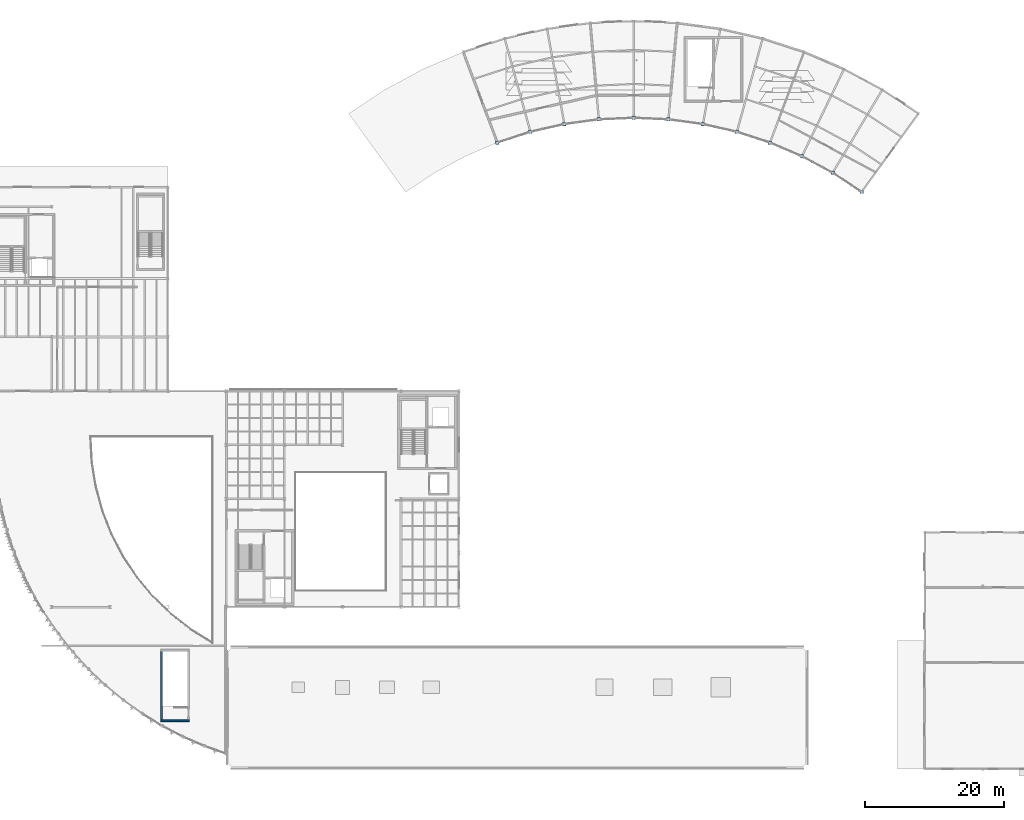
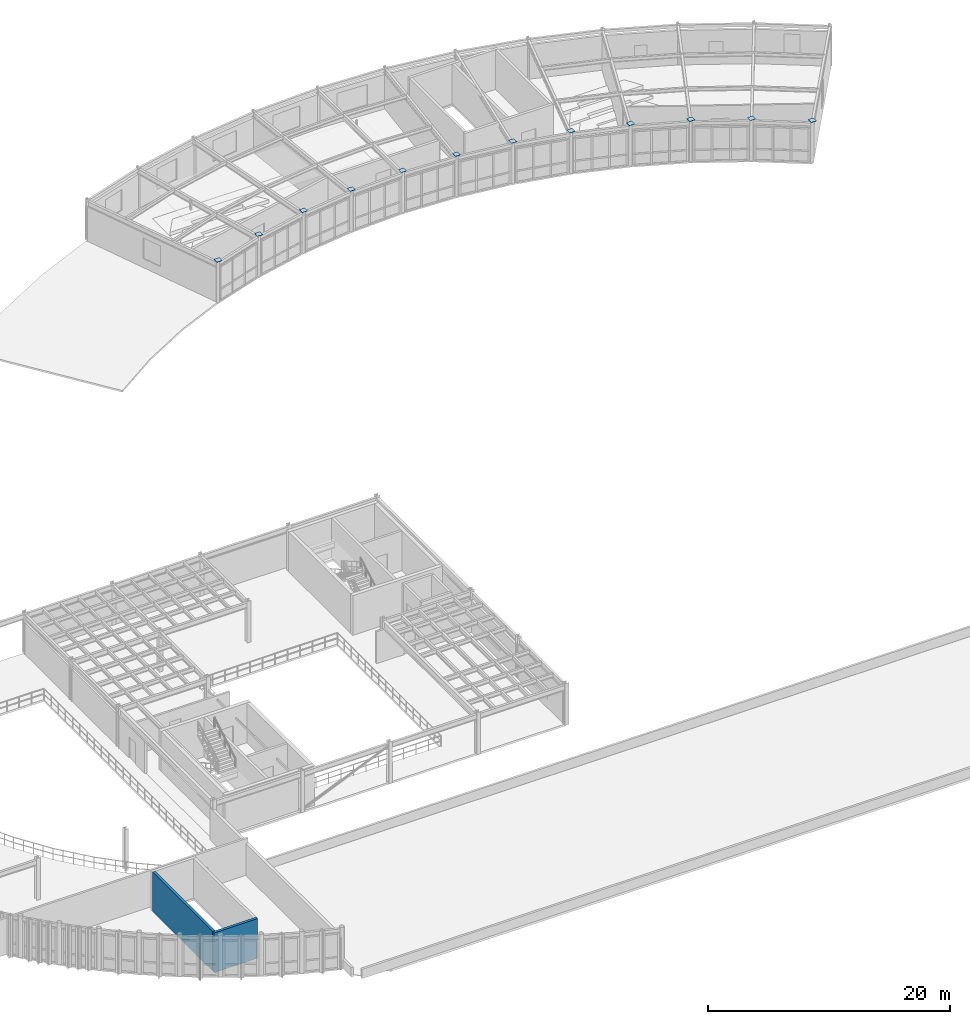
# One storey, part 36 of 54: 12 plates, 2 walls.
"""IFC4 building model written with IfcOpenShell, lengths in metres."""

from ifc_helpers import new_model, si_unit, direction, frame, frame_2d, origin, origin_2d, place, context, subcontext, project, spatial, rectangle, extrude, material, layer, layer_set, type_object, element, save


model = new_model("IFC4")

# Units and contexts
model_context = context("Model", 3, precision=1e-05, world=origin(), true_north=direction((0.0, 1.0)))
body_context = subcontext(model_context, "Body", "Model", "MODEL_VIEW")
ifc_project = project(units=[si_unit("LENGTHUNIT", "METRE"), si_unit("AREAUNIT", "SQUARE_METRE"), si_unit("VOLUMEUNIT", "CUBIC_METRE"), si_unit("PLANEANGLEUNIT", "RADIAN"), si_unit("MASSUNIT", "GRAM", prefix="KILO")], contexts=[model_context])

# Site, building, storey
site_placement = place(None, origin())
site = spatial("IfcSite", under=ifc_project, at=site_placement, CompositionType="ELEMENT")
building_placement = place(site_placement, origin())
building = spatial("IfcBuilding", under=site, at=building_placement, Name="Selat Folded Stagehouse", CompositionType="ELEMENT")
storey_placement = place(building_placement, frame((0.0, 0.0, 15.0)))
storey = spatial("IfcBuildingStorey", under=building, at=storey_placement, Name="L03", CompositionType="ELEMENT", Elevation=15.0)

# Plates
ifc_material_1 = material(Name="Steel S355", Category="steel")
ifc_layer_1 = layer(ifc_material_1, 0.02490234375)
ifc_layer_set_1 = layer_set([ifc_layer_1], Name="Steel S355")
plate_type = type_object("IfcPlateType", Name="PLT-BASE-500x500x25", PredefinedType="USERDEFINED", material=ifc_layer_set_1)
for number, where, z_axis, x_axis, name in (
    (1, (72.722900390625, 90.42919921875, 4.199951171875), (0.0, 0.0, 1.0), (1.0, 0.0, 0.0), "Hollow column end cap plate STK-V6IN-03"),
    (2, (77.501953125, 91.98193359375, 4.199951171875), (0.0, 0.0, 1.0), (1.0, 0.0, 0.0), "Hollow column end cap plate STK-V6IN-04"),
    (3, (82.40087890625, 93.10009765625, 4.199951171875), (0.0, 0.0, 1.0), (1.0, 0.0, 0.0), "Hollow column end cap plate STK-V6IN-05"),
    (4, (87.380126953125, 93.774658203125, 4.199951171875), (0.0, 0.0, 1.0), (1.0, 0.0, 0.0), "Hollow column end cap plate STK-V6IN-06"),
    (5, (92.39990234375, 94.0, 4.199951171875), (0.0, 0.0, 1.0), (1.0, 0.0, 0.0), "Hollow column end cap plate STK-V6IN-07"),
    (6, (97.419921875, 93.774658203125, 4.199951171875), (0.0, 0.0, 1.0), (1.0, 0.0, 0.0), "Hollow column end cap plate STK-V6IN-08"),
    (7, (102.399169921875, 93.10009765625, 4.199951171875), (0.0, 0.0, 1.0), (1.0, 0.0, 0.0), "Hollow column end cap plate STK-V6IN-09"),
    (8, (107.298095703125, 91.98193359375, 4.199951171875), (0.0, 0.0, 1.0), (1.0, 0.0, 0.0), "Hollow column end cap plate STK-V6IN-10"),
    (9, (112.076904296875, 90.42919921875, 4.199951171875), (0.0, 0.0, 1.0), (1.0, 0.0, 0.0), "Hollow column end cap plate STK-V6IN-11"),
    (10, (116.697509765625, 88.454345703125, 4.199951171875), (0.0, 0.0, 1.0), (1.0, 0.0, 0.0), "Hollow column end cap plate STK-V6IN-12"),
    (11, (121.122314453125, 86.072998046875, 4.199951171875), (0.0, 0.0, 1.0), (1.0, 0.0, 0.0), "Hollow column end cap plate STK-V6IN-13"),
    (12, (125.31591796875, 83.304931640625, 4.199951171875), (0.0, 0.0, 1.0), (1.0, 0.0, 0.0), "Hollow column end cap plate STK-V6IN-14"),
):
    element("IfcPlate", number, at=place(storey_placement, frame(where, z_axis=z_axis, x_axis=x_axis)), inside=storey, type_object=plate_type, Name=name, ObjectType="BASE_PLATE", PredefinedType="USERDEFINED", context=body_context, shape_type="SweptSolid", body=[
        extrude(rectangle(XDim=0.5, YDim=0.5, at=origin_2d()), origin(), (0.0, 0.0, 1.0), 0.02490234375),
    ])

# Walls
ifc_material_2 = material(Name="Concrete C50/60", Category="concrete")
ifc_layer_2 = layer(ifc_material_2, 0.25)
ifc_layer_set_2 = layer_set([ifc_layer_2], Name="Concrete C50/60")
wall_type = type_object("IfcWallType", Name="WAL-CORE-250", PredefinedType="SHEAR", material=ifc_layer_set_2)
wall_1_placement = place(storey_placement, frame((28.264892578125, 7.0, 0.0), z_axis=(0.0, 0.0, 1.0), x_axis=(-1.0, 0.0, 0.0)))
element("IfcWall", 13, at=wall_1_placement, inside=storey, type_object=wall_type, Name="L03 ST-09 south shaft wall", PredefinedType="SHEAR", context=body_context, shape_type="SweptSolid", body=[
    extrude(rectangle(XDim=4.14990234375, YDim=0.25, at=frame_2d((2.074951171875, 0.0))), origin(), (0.0, 0.0, 1.0), 4.0),
])
wall_2_placement = place(storey_placement, frame((24.239990234375, 7.125, 0.0), z_axis=(0.0, 0.0, 1.0), x_axis=(0.0, 1.0, 0.0)))
element("IfcWall", 14, at=wall_2_placement, inside=storey, type_object=wall_type, Name="L03 ST-09 west shaft wall", PredefinedType="SHEAR", context=body_context, shape_type="SweptSolid", body=[
    extrude(rectangle(XDim=9.909912109375, YDim=0.25, at=frame_2d((4.955078125, 0.0))), origin(), (0.0, 0.0, 1.0), 4.0),
])

save(model, "model.ifc")
